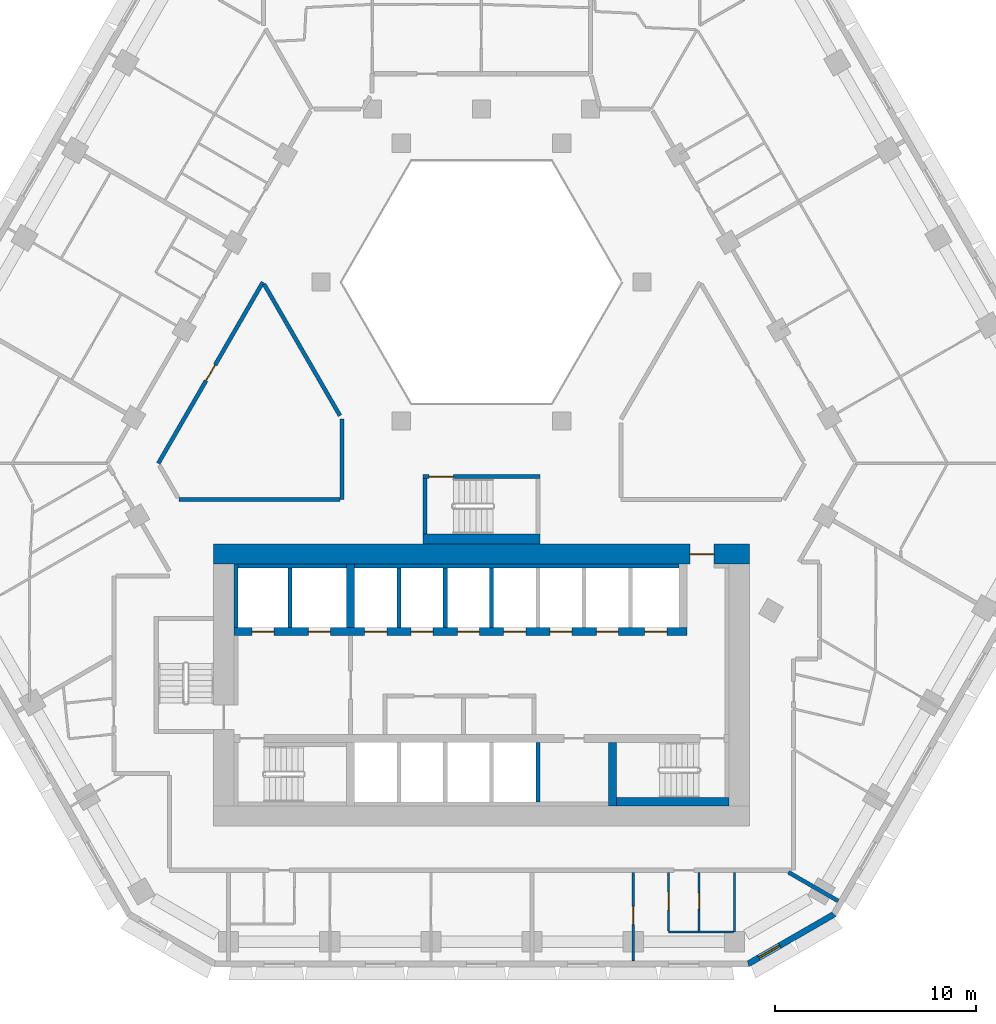
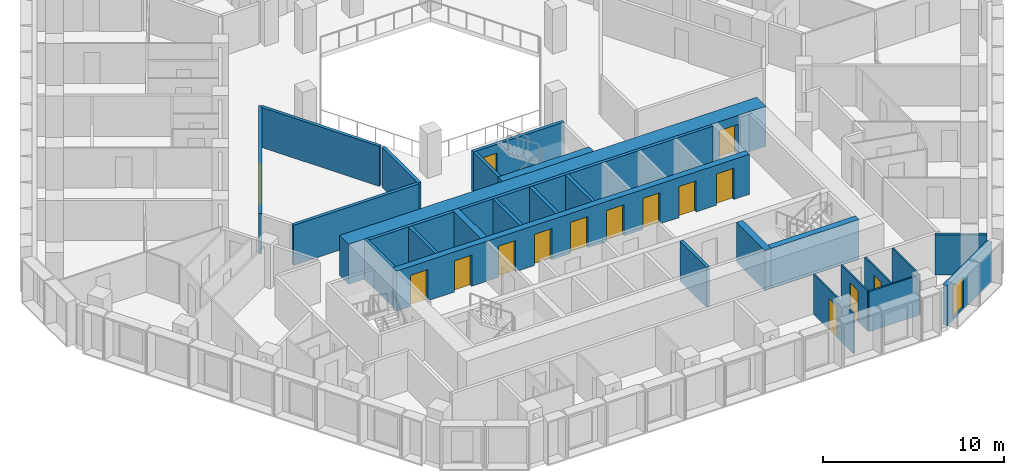
# One storey, part 5 of 15: 27 walls, 15 doors, 1 window, 16 openings.
"""IFC4 building model written with IfcOpenShell, lengths in metres."""

import ifcopenshell
import ifcopenshell.guid

model = None  # the IFC model being written
_history = None  # IfcOwnerHistory: only IFC2X3 demands one
_inside = {}  # id of a spatial element -> (the spatial element, [elements in it])
_under = {}  # id of a project, library or spatial element -> (it, [spatial elements below it])
_declared = {}  # id of a project -> (the project, [libraries it declares])
_typed = {}  # id of a type object -> (the type object, [elements of that type])
_made_of = {}  # id of a material, layer set ... -> (it, [elements and type objects made of it])


def new_model(schema):
    """Start an empty IFC model of exactly this schema.

    Asked for "IFC4X3", IfcOpenShell would pick the latest addendum, in which some entities
    have other attributes; the version numbers below select the first issue.
    IFC2X3 requires an IfcOwnerHistory on every rooted entity: one is made here for all.
    """
    global model, _history
    if schema == "IFC4X3":
        model = ifcopenshell.file(schema_version=(4, 3, 0, 0))
    else:
        model = ifcopenshell.file(schema=schema)
    _inside.clear()
    _under.clear()
    _declared.clear()
    _typed.clear()
    _made_of.clear()
    _history = None
    if model.schema == "IFC2X3":
        org = make("IfcOrganization", Name="unknown")
        user = make(
            "IfcPersonAndOrganization",
            ThePerson=make("IfcPerson", FamilyName="unknown"),
            TheOrganization=org,
        )
        app = make(
            "IfcApplication",
            ApplicationDeveloper=org,
            Version="unknown",
            ApplicationFullName="unknown",
            ApplicationIdentifier="unknown",
        )
        _history = make(
            "IfcOwnerHistory",
            OwningUser=user,
            OwningApplication=app,
            ChangeAction="ADDED",
            CreationDate=0,
        )
    return model


def make(cls, **values):
    """One entity of the class cls with the attributes given. An attribute that is None is left unset."""
    return model.create_entity(
        cls, **{name: value for name, value in values.items() if value is not None}
    )


def rooted(cls, **values):
    """An entity with a GlobalId (a new one), such as an element, a storey or a relation."""
    return make(cls, GlobalId=ifcopenshell.guid.new(), OwnerHistory=_history, **values)


def si_unit(unit_type, name, prefix=None):
    """IfcSIUnit, for example si_unit("LENGTHUNIT", "METRE", prefix="MILLI")."""
    return make("IfcSIUnit", UnitType=unit_type, Prefix=prefix, Name=name)


def assignment(units):
    """IfcUnitAssignment: the units of a project."""
    return None if units is None else make("IfcUnitAssignment", Units=units)


def point(xyz):
    """IfcCartesianPoint."""
    return None if xyz is None else make("IfcCartesianPoint", Coordinates=xyz)


def direction(xyz):
    """IfcDirection."""
    return None if xyz is None else make("IfcDirection", DirectionRatios=xyz)


def frame(location, z_axis=None, x_axis=None):
    """IfcAxis2Placement3D, a coordinate frame: its origin and axes. An axis left out is left unset."""
    return make(
        "IfcAxis2Placement3D",
        Location=point(location),
        Axis=direction(z_axis),
        RefDirection=direction(x_axis),
    )


def frame_2d(location, x_axis=None):
    """IfcAxis2Placement2D, a coordinate frame in the plane: its origin and x axis."""
    return make(
        "IfcAxis2Placement2D", Location=point(location), RefDirection=direction(x_axis)
    )


def origin():
    """The frame at (0, 0, 0) with its axes left unset."""
    return frame((0.0, 0.0, 0.0))


def place(relative_to, where):
    """IfcLocalPlacement: puts the frame where relative to a parent placement (None: the world)."""
    return make(
        "IfcLocalPlacement", PlacementRelTo=relative_to, RelativePlacement=where
    )


def context(
    kind, dimensions, precision=None, world=None, true_north=None, identifier=None
):
    """IfcGeometricRepresentationContext, for example the 3D "Model" context."""
    return make(
        "IfcGeometricRepresentationContext",
        ContextIdentifier=identifier,
        ContextType=kind,
        CoordinateSpaceDimension=dimensions,
        Precision=precision,
        WorldCoordinateSystem=world,
        TrueNorth=true_north,
    )


def subcontext(parent, identifier, kind, view, scale=None):
    """IfcGeometricRepresentationSubContext, for example "Body" below "Model"."""
    return make(
        "IfcGeometricRepresentationSubContext",
        ContextIdentifier=identifier,
        ContextType=kind,
        ParentContext=parent,
        TargetScale=scale,
        TargetView=view,
    )


def project(units=None, contexts=None):
    """IfcProject with its units and contexts."""
    return rooted(
        "IfcProject",
        Name="project",
        RepresentationContexts=contexts,
        UnitsInContext=assignment(units),
    )


def spatial(cls, under=None, at=None, **own):
    """A site, building, storey or space (cls), placed at a placement, below another one or the project."""
    s = rooted(cls, ObjectPlacement=at, **own)
    if under is not None:
        _under.setdefault(under.id(), (under, []))[1].append(s)
    return s


def polyline(points):
    """IfcPolyline through the points."""
    return make("IfcPolyline", Points=[point(p) for p in points])


def profile(cls, at=None, kind="AREA", **sizes):
    """A parametric profile (cls). Its sizes go by their IFC names, for example OverallWidth=200.0."""
    return make(cls, ProfileType=kind, Position=at, **sizes)


def rectangle(**sizes):
    """IfcRectangleProfileDef."""
    return profile("IfcRectangleProfileDef", **sizes)


def outline(outer, holes=None, kind="AREA"):
    """IfcArbitraryClosedProfileDef: a profile drawn as a closed curve; with holes, ...WithVoids."""
    if holes is None:
        return make("IfcArbitraryClosedProfileDef", ProfileType=kind, OuterCurve=outer)
    return make(
        "IfcArbitraryProfileDefWithVoids",
        ProfileType=kind,
        OuterCurve=outer,
        InnerCurves=holes,
    )


def extrude(swept, where, along, depth):
    """IfcExtrudedAreaSolid: the profile swept, set in the frame where, extruded along a direction by depth."""
    return make(
        "IfcExtrudedAreaSolid",
        SweptArea=swept,
        Position=where,
        ExtrudedDirection=direction(along),
        Depth=depth,
    )


def shape(context_of_items, identifier, shape_type, items):
    """IfcShapeRepresentation: the items that make up one representation, for example the "Body"."""
    return make(
        "IfcShapeRepresentation",
        ContextOfItems=context_of_items,
        RepresentationIdentifier=identifier,
        RepresentationType=shape_type,
        Items=items,
    )


def material(Name=None, Category=None):
    """IfcMaterial."""
    return make("IfcMaterial", Name=Name, Category=Category)


def layer(
    of_material, thickness, ventilated=None, Name=None, Category=None, Priority=None
):
    """IfcMaterialLayer: one layer of a wall or slab, of a material (None: an air gap)."""
    return make(
        "IfcMaterialLayer",
        Material=of_material,
        LayerThickness=thickness,
        IsVentilated=ventilated,
        Name=Name,
        Category=Category,
        Priority=Priority,
    )


def layer_set(layers, Name=None):
    """IfcMaterialLayerSet."""
    return make("IfcMaterialLayerSet", MaterialLayers=layers, LayerSetName=Name)


def made_of(thing, what):
    """Note that an element or type object is made of a material, layer set ...; save() writes the relation."""
    if what is not None:
        _made_of.setdefault(what.id(), (what, []))[1].append(thing)
    return thing


def type_object(cls, material=None, **own):
    """A type object (cls), such as IfcWallType, which elements share."""
    return made_of(rooted(cls, **own), material)


def element(
    cls,
    number,
    at=None,
    inside=None,
    cuts=None,
    type_object=None,
    material=None,
    context=None,
    identifier="Body",
    shape_type=None,
    held_by="IfcProductDefinitionShape",
    body=None,
    shapes=None,
    **own,
):
    """One element of the class cls, such as IfcWall. Its Tag is "e" and its number.

    at: its placement. inside: the storey or other place that contains it. cuts: it is an
    opening in that element (IfcRelVoidsElement). A single representation is given by context,
    identifier, shape_type and body (its items); several are given by shapes. held_by: the class
    of the entity that holds the representations. save() writes the other relations.
    """
    e = rooted(cls, Tag="e%d" % number, ObjectPlacement=at, **own)
    if body is not None:
        shapes = [shape(context, identifier, shape_type, body)]
    if shapes is not None:
        e.Representation = make(held_by, Representations=shapes)
    if inside is not None:
        _inside.setdefault(inside.id(), (inside, []))[1].append(e)
    if cuts is not None:
        rooted(
            "IfcRelVoidsElement", RelatingBuildingElement=cuts, RelatedOpeningElement=e
        )
    if type_object is not None:
        _typed.setdefault(type_object.id(), (type_object, []))[1].append(e)
    return made_of(e, material)


def fill(opening, filler):
    """IfcRelFillsElement: the door or window that sits in an opening."""
    return rooted(
        "IfcRelFillsElement",
        RelatingOpeningElement=opening,
        RelatedBuildingElement=filler,
    )


def aggregate(whole, parts):
    """IfcRelAggregates: a whole, such as a stair, and the parts it consists of."""
    return rooted("IfcRelAggregates", RelatingObject=whole, RelatedObjects=parts)


def save(model, path):
    """Write the relations noted so far, then the file.

    IfcRelAggregates (storeys below a building ...), IfcRelContainedInSpatialStructure (elements
    in a storey), IfcRelDefinesByType, IfcRelAssociatesMaterial and IfcRelDeclares: one each for
    every whole, place, type object, material and project.
    """
    for whole, parts in _under.values():
        aggregate(whole, parts)
    for where, things in _inside.values():
        rooted(
            "IfcRelContainedInSpatialStructure",
            RelatedElements=things,
            RelatingStructure=where,
        )
    for kind, things in _typed.values():
        rooted("IfcRelDefinesByType", RelatedObjects=things, RelatingType=kind)
    for what, things in _made_of.values():
        rooted("IfcRelAssociatesMaterial", RelatedObjects=things, RelatingMaterial=what)
    for by, libraries in _declared.values():
        rooted("IfcRelDeclares", RelatingContext=by, RelatedDefinitions=libraries)
    model.write(path)


model = new_model("IFC4")

# Units and contexts
model_context = context("Model", 3, precision=1e-05, world=origin(), true_north=direction((0.0, 1.0)))
body_context = subcontext(model_context, "Body", "Model", "MODEL_VIEW")
ifc_project = project(units=[si_unit("LENGTHUNIT", "METRE"), si_unit("AREAUNIT", "SQUARE_METRE"), si_unit("VOLUMEUNIT", "CUBIC_METRE"), si_unit("PLANEANGLEUNIT", "RADIAN"), si_unit("MASSUNIT", "GRAM", prefix="KILO")], contexts=[model_context])

# Site, building, storey
site_placement = place(None, origin())
site = spatial("IfcSite", under=ifc_project, at=site_placement, CompositionType="ELEMENT")
building_placement = place(site_placement, origin())
building = spatial("IfcBuilding", under=site, at=building_placement, Name="Beryl Residences", CompositionType="ELEMENT")
storey_placement = place(building_placement, frame((0.0, 0.0, 102.0)))
storey = spatial("IfcBuildingStorey", under=building, at=storey_placement, Name="L31", CompositionType="ELEMENT", Elevation=102.0)

# Wall, opening, window
ifc_material_1 = material(Name="Composite metal panel with mineral wool insulation")
ifc_layer_1 = layer(ifc_material_1, 0.300048828125)
ifc_layer_set_1 = layer_set([ifc_layer_1], Name="ES1 pale metal composite panel wall 300 mm")
wall_type_1 = type_object("IfcWallType", Name="ES1 pale metal composite panel wall 300 mm", PredefinedType="SOLIDWALL", material=ifc_layer_set_1)
wall_1_placement = place(storey_placement, frame((13.2041015625, -25.8701171875, 0.0), z_axis=(0.0, 0.0, 1.0), x_axis=(0.866010750942, 0.50002537861, 0.0)))
wall_1 = element("IfcWall", 1, at=wall_1_placement, inside=storey, type_object=wall_type_1, Name="ES1 external wall L31 S-SE", PredefinedType="SOLIDWALL", context=body_context, shape_type="SweptSolid", body=[
    extrude(outline(polyline([(0.0, -0.14990234375), (4.999755859375, -0.14990234375), (4.91943359375, 0.14990234375), (0.080322265625, 0.14990234375), (0.0, -0.14990234375)])), origin(), (0.0, 0.0, 1.0), 2.699951171875),
])
opening_1_placement = place(wall_1_placement, frame((0.64990234375, 0.0, 0.14990234375)))
opening_1 = element("IfcOpeningElement", 2, at=opening_1_placement, cuts=wall_1, Name="Opening W2", PredefinedType="OPENING", context=body_context, shape_type="SweptSolid", body=[
    extrude(rectangle(XDim=1.199951171875, YDim=2.10009765625, at=frame_2d((0.60009765625, 1.050048828125))), frame((0.0, 0.159912109375, 0.0), z_axis=(0.0, -1.0, 0.0), x_axis=(1.0, 0.0, 0.0)), (0.0, 0.0, 1.0), 0.320068359375),
])
ifc_material_2 = material(Name="Aluminium and clear glass", Category="aluminium")
window_type = type_object("IfcWindowType", Name="W2 chamfer window 1200 x 2100 mm", PartitioningType="SINGLE_PANEL", PredefinedType="WINDOW", material=ifc_material_2)
window_placement = place(opening_1_placement, origin())
window = element("IfcWindow", 3, at=window_placement, inside=storey, type_object=window_type, Name="W2 window L31 S-SE 1", OverallHeight=2.10009765625, OverallWidth=1.199951171875, PartitioningType="SINGLE_PANEL", PredefinedType="WINDOW", context=body_context, shape_type="SweptSolid", body=[
    extrude(rectangle(XDim=1.199951171875, YDim=2.10009765625, at=frame_2d((0.60009765625, 1.050048828125))), frame((0.0, 0.030029296875, 0.0), z_axis=(0.0, -1.0, 0.0), x_axis=(1.0, 0.0, 0.0)), (0.0, 0.0, 1.0), 0.06005859375),
])
fill(opening_1, window)

# Wall, opening, door
ifc_material_3 = material(Name="Gypsum board partition on steel studs", Category="steel")
ifc_layer_2 = layer(ifc_material_3, 0.10009765625)
ifc_layer_set_2 = layer_set([ifc_layer_2], Name="PT1 partition 100 mm gypsum board on steel studs")
wall_type_2 = type_object("IfcWallType", Name="PT1 partition 100 mm gypsum board on steel studs", PredefinedType="PARTITIONING", material=ifc_layer_set_2)
wall_2_placement = place(storey_placement, frame((9.29296875, -21.300048828125, 0.0), z_axis=(0.0, 0.0, 1.0), x_axis=(0.0, -1.0, 0.0)))
wall_2 = element("IfcWall", 4, at=wall_2_placement, inside=storey, type_object=wall_type_2, Name="Wall PT1 L31 011", PredefinedType="PARTITIONING", context=body_context, shape_type="SweptSolid", body=[
    extrude(rectangle(XDim=2.908935546875, YDim=0.10009765625, at=frame_2d((1.45458984375, 0.0))), origin(), (0.0, 0.0, 1.0), 2.699951171875),
])
opening_2_placement = place(wall_2_placement, frame((0.97998046875, 0.0, 0.0)))
opening_2 = element("IfcOpeningElement", 5, at=opening_2_placement, cuts=wall_2, Name="Opening D0907", PredefinedType="OPENING", context=body_context, shape_type="SweptSolid", body=[
    extrude(rectangle(XDim=0.89990234375, YDim=2.10009765625, at=frame_2d((0.449951171875, 1.050048828125))), frame((0.0, 0.06005859375, 0.0), z_axis=(0.0, -1.0, 0.0), x_axis=(1.0, 0.0, 0.0)), (0.0, 0.0, 1.0), 0.1201171875),
])
ifc_material_4 = material(Name="Timber door leaf", Category="wood")
door_type_1 = type_object("IfcDoorType", Name="D2 room door 900 x 2100 mm", OperationType="SINGLE_SWING_LEFT", PredefinedType="DOOR", material=ifc_material_4)
door_1_placement = place(opening_2_placement, origin())
door_1 = element("IfcDoor", 6, at=door_1_placement, inside=storey, type_object=door_type_1, Name="Door D0907 L31 001", OperationType="SINGLE_SWING_LEFT", OverallHeight=2.10009765625, OverallWidth=0.89990234375, PredefinedType="DOOR", context=body_context, shape_type="SweptSolid", body=[
    extrude(rectangle(XDim=0.89990234375, YDim=2.10009765625, at=frame_2d((0.449951171875, 1.050048828125))), frame((0.0, 0.02490234375, 0.0), z_axis=(0.0, -1.0, 0.0), x_axis=(1.0, 0.0, 0.0)), (0.0, 0.0, 1.0), 0.050048828125),
])
fill(opening_2, door_1)

# Wall
wall_3_placement = place(storey_placement, frame((9.2939453125, -24.260009765625, 0.0), z_axis=(0.0, 0.0, 1.0), x_axis=(1.0, 0.0, 0.0)))
element("IfcWall", 7, at=wall_3_placement, inside=storey, type_object=wall_type_2, Name="Wall PT1 L31 029", PredefinedType="PARTITIONING", context=body_context, shape_type="SweptSolid", body=[
    extrude(rectangle(XDim=3.213134765625, YDim=0.10009765625, at=frame_2d((1.6064453125, 0.0))), origin(), (0.0, 0.0, 1.0), 2.699951171875),
])

# Wall, opening, door
wall_4_placement = place(storey_placement, frame((7.534912109375, -25.699951171875, 0.0), z_axis=(0.0, 0.0, 1.0), x_axis=(0.0, 1.0, 0.0)))
wall_4 = element("IfcWall", 8, at=wall_4_placement, inside=storey, type_object=wall_type_2, Name="Wall PT1 L31 047", PredefinedType="PARTITIONING", context=body_context, shape_type="SweptSolid", body=[
    extrude(rectangle(XDim=4.39990234375, YDim=0.10009765625, at=frame_2d((2.199951171875, 0.0))), origin(), (0.0, 0.0, 1.0), 2.699951171875),
])
opening_3_placement = place(wall_4_placement, frame((1.800048828125, 0.0, 0.0)))
opening_3 = element("IfcOpeningElement", 9, at=opening_3_placement, cuts=wall_4, Name="Opening D0909", PredefinedType="OPENING", context=body_context, shape_type="SweptSolid", body=[
    extrude(rectangle(XDim=0.89990234375, YDim=2.10009765625, at=frame_2d((0.449951171875, 1.050048828125))), frame((0.0, 0.06005859375, 0.0), z_axis=(0.0, -1.0, 0.0), x_axis=(1.0, 0.0, 0.0)), (0.0, 0.0, 1.0), 0.1201171875),
])
door_2_placement = place(opening_3_placement, origin())
door_2 = element("IfcDoor", 10, at=door_2_placement, inside=storey, type_object=door_type_1, Name="Door D0909 L31 001", OperationType="SINGLE_SWING_LEFT", OverallHeight=2.10009765625, OverallWidth=0.89990234375, PredefinedType="DOOR", context=body_context, shape_type="SweptSolid", body=[
    extrude(rectangle(XDim=0.89990234375, YDim=2.10009765625, at=frame_2d((0.449951171875, 1.050048828125))), frame((0.0, 0.02490234375, 0.0), z_axis=(0.0, -1.0, 0.0), x_axis=(1.0, 0.0, 0.0)), (0.0, 0.0, 1.0), 0.050048828125),
])
fill(opening_3, door_2)

wall_5_placement = place(storey_placement, frame((10.800048828125, -24.2099609375, 0.0), z_axis=(0.0, 0.0, 1.0), x_axis=(0.0, 1.0, 0.0)))
wall_5 = element("IfcWall", 11, at=wall_5_placement, inside=storey, type_object=wall_type_2, Name="Wall PT1 L31 048", PredefinedType="PARTITIONING", context=body_context, shape_type="SweptSolid", body=[
    extrude(rectangle(XDim=2.909912109375, YDim=0.10009765625, at=frame_2d((1.455078125, 0.0))), origin(), (0.0, 0.0, 1.0), 2.699951171875),
])
opening_4_placement = place(wall_5_placement, frame((1.080078125, 0.0, 0.0)))
opening_4 = element("IfcOpeningElement", 12, at=opening_4_placement, cuts=wall_5, Name="Opening D0908", PredefinedType="OPENING", context=body_context, shape_type="SweptSolid", body=[
    extrude(rectangle(XDim=0.800048828125, YDim=2.10009765625, at=frame_2d((0.39990234375, 1.050048828125))), frame((0.0, 0.06005859375, 0.0), z_axis=(0.0, -1.0, 0.0), x_axis=(1.0, 0.0, 0.0)), (0.0, 0.0, 1.0), 0.1201171875),
])
ifc_material_5 = material(Name="Timber door leaf", Category="wood")
door_type_2 = type_object("IfcDoorType", Name="D3 bathroom door 800 x 2100 mm", OperationType="SINGLE_SWING_LEFT", PredefinedType="DOOR", material=ifc_material_5)
door_3_placement = place(opening_4_placement, origin())
door_3 = element("IfcDoor", 13, at=door_3_placement, inside=storey, type_object=door_type_2, Name="Door D0908 L31 001", OperationType="SINGLE_SWING_RIGHT", OverallHeight=2.10009765625, OverallWidth=0.800048828125, PredefinedType="DOOR", context=body_context, shape_type="SweptSolid", body=[
    extrude(rectangle(XDim=0.800048828125, YDim=2.10009765625, at=frame_2d((0.39990234375, 1.050048828125))), frame((0.0, 0.02490234375, 0.0), z_axis=(0.0, -1.0, 0.0), x_axis=(1.0, 0.0, 0.0)), (0.0, 0.0, 1.0), 0.050048828125),
])
fill(opening_4, door_3)

# Walls
wall_6_placement = place(storey_placement, frame((12.55810546875, -24.259033203125, 0.0), z_axis=(0.0, 0.0, 1.0), x_axis=(0.0, 1.0, 0.0)))
element("IfcWall", 14, at=wall_6_placement, inside=storey, type_object=wall_type_2, Name="Wall PT1 L31 050", PredefinedType="PARTITIONING", context=body_context, shape_type="SweptSolid", body=[
    extrude(rectangle(XDim=2.958984375, YDim=0.10009765625, at=frame_2d((1.4794921875, 0.0))), origin(), (0.0, 0.0, 1.0), 2.699951171875),
])
ifc_material_6 = material(Name="Acoustic double stud gypsum board wall")
ifc_layer_3 = layer(ifc_material_6, 0.199951171875)
ifc_layer_set_3 = layer_set([ifc_layer_3], Name="PT3 party wall 200 mm acoustic double stud")
wall_type_3 = type_object("IfcWallType", Name="PT3 party wall 200 mm acoustic double stud", PredefinedType="PARTITIONING", material=ifc_layer_set_3)
wall_7_placement = place(storey_placement, frame((15.239990234375, -21.300048828125, 0.0), z_axis=(0.0, 0.0, 1.0), x_axis=(0.866090043625, -0.499888023795, 0.0)))
element("IfcWall", 15, at=wall_7_placement, inside=storey, type_object=wall_type_3, Name="Wall PT3 L31 003", PredefinedType="PARTITIONING", context=body_context, shape_type="SweptSolid", body=[
    extrude(rectangle(XDim=2.850830078125, YDim=0.199951171875, at=frame_2d((1.42529296875, 0.0))), origin(), (0.0, 0.0, 1.0), 2.699951171875),
])
ifc_material_7 = material(Name="Double stud gypsum board wall")
ifc_layer_4 = layer(ifc_material_7, 0.199951171875)
ifc_layer_set_4 = layer_set([ifc_layer_4], Name="PT4 corridor wall 200 mm double stud")
wall_type_4 = type_object("IfcWallType", Name="PT4 corridor wall 200 mm double stud", PredefinedType="PARTITIONING", material=ifc_layer_set_4)
wall_8_placement = place(storey_placement, frame((-10.7958984375, 7.89892578125, 0.0), z_axis=(0.0, 0.0, 1.0), x_axis=(0.500010383074, -0.866019409031, 0.0)))
element("IfcWall", 16, at=wall_8_placement, inside=storey, type_object=wall_type_4, Name="Wall PT4 L31 001", PredefinedType="PARTITIONING", context=body_context, shape_type="SweptSolid", body=[
    extrude(rectangle(XDim=7.535400390625, YDim=0.199951171875, at=frame_2d((3.767578125, 0.0))), origin(), (0.0, 0.0, 1.0), 2.699951171875),
])
wall_9_placement = place(storey_placement, frame((-15.010986328125, -2.800048828125, 0.0), z_axis=(0.0, 0.0, 1.0), x_axis=(1.0, 0.0, 0.0)))
element("IfcWall", 17, at=wall_9_placement, inside=storey, type_object=wall_type_4, Name="Wall PT4 L31 017", PredefinedType="PARTITIONING", context=body_context, shape_type="SweptSolid", body=[
    extrude(rectangle(XDim=7.98193359375, YDim=0.199951171875, at=frame_2d((3.990966796875, 0.0))), origin(), (0.0, 0.0, 1.0), 2.699951171875),
])

# Wall, opening, door
wall_10_placement = place(storey_placement, frame((-16.050048828125, -1.0, 0.0), z_axis=(0.0, 0.0, 1.0), x_axis=(0.499962449088, 0.866047082728, 0.0)))
wall_10 = element("IfcWall", 18, at=wall_10_placement, inside=storey, type_object=wall_type_4, Name="Wall PT4 L31 026", PredefinedType="PARTITIONING", context=body_context, shape_type="SweptSolid", body=[
    extrude(rectangle(XDim=10.390869140625, YDim=0.199951171875, at=frame_2d((5.1953125, 0.0))), origin(), (0.0, 0.0, 1.0), 2.699951171875),
])
opening_5_placement = place(wall_10_placement, frame((4.7451171875, 0.0, 0.0)))
opening_5 = element("IfcOpeningElement", 19, at=opening_5_placement, cuts=wall_10, Name="Opening D0962", PredefinedType="OPENING", context=body_context, shape_type="SweptSolid", body=[
    extrude(rectangle(XDim=0.89990234375, YDim=2.10009765625, at=frame_2d((0.449951171875, 1.050048828125))), frame((0.0, 0.10986328125, 0.0), z_axis=(0.0, -1.0, 0.0), x_axis=(1.0, 0.0, 0.0)), (0.0, 0.0, 1.0), 0.219970703125),
])
door_4_placement = place(opening_5_placement, origin())
door_4 = element("IfcDoor", 20, at=door_4_placement, inside=storey, type_object=door_type_1, Name="Door D0962 L31 001", OperationType="SINGLE_SWING_RIGHT", OverallHeight=2.10009765625, OverallWidth=0.89990234375, PredefinedType="DOOR", context=body_context, shape_type="SweptSolid", body=[
    extrude(rectangle(XDim=0.89990234375, YDim=2.10009765625, at=frame_2d((0.449951171875, 1.050048828125))), frame((0.0, 0.02490234375, 0.0), z_axis=(0.0, -1.0, 0.0), x_axis=(1.0, 0.0, 0.0)), (0.0, 0.0, 1.0), 0.050048828125),
])
fill(opening_5, door_4)

# Wall
wall_11_placement = place(storey_placement, frame((-6.927978515625, -2.799072265625, 0.0), z_axis=(0.0, 0.0, 1.0), x_axis=(0.0, 1.0, 0.0)))
element("IfcWall", 21, at=wall_11_placement, inside=storey, type_object=wall_type_4, Name="Wall PT4 L31 033", PredefinedType="PARTITIONING", context=body_context, shape_type="SweptSolid", body=[
    extrude(rectangle(XDim=3.9990234375, YDim=0.199951171875, at=frame_2d((1.99951171875, 0.0))), origin(), (0.0, 0.0, 1.0), 2.699951171875),
])

# Wall, opening, door
ifc_material_8 = material(Name="Concrete C40/50", Category="concrete")
ifc_layer_5 = layer(ifc_material_8, 0.199951171875)
ifc_layer_set_5 = layer_set([ifc_layer_5], Name="PT5 stair enclosure wall 200 mm reinforced concrete C40/50")
wall_type_5 = type_object("IfcWallType", Name="PT5 stair enclosure wall 200 mm reinforced concrete C40/50", PredefinedType="SOLIDWALL", material=ifc_layer_set_5)
wall_12_placement = place(storey_placement, frame((-2.89990234375, -1.64990234375, 0.0), z_axis=(0.0, 0.0, 1.0), x_axis=(1.0, 0.0, 0.0)))
wall_12 = element("IfcWall", 22, at=wall_12_placement, inside=storey, type_object=wall_type_5, Name="Wall PT5 L31 001", PredefinedType="SOLIDWALL", context=body_context, shape_type="SweptSolid", body=[
    extrude(rectangle(XDim=5.7998046875, YDim=0.199951171875, at=frame_2d((2.89990234375, 0.0))), origin(), (0.0, 0.0, 1.0), 2.699951171875),
])
opening_6_placement = place(wall_12_placement, frame((0.300048828125, 0.0, 0.0)))
opening_6 = element("IfcOpeningElement", 23, at=opening_6_placement, cuts=wall_12, Name="Opening DS04", PredefinedType="OPENING", context=body_context, shape_type="SweptSolid", body=[
    extrude(rectangle(XDim=1.199951171875, YDim=2.10009765625, at=frame_2d((0.60009765625, 1.050048828125))), frame((0.0, 0.10986328125, 0.0), z_axis=(0.0, -1.0, 0.0), x_axis=(1.0, 0.0, 0.0)), (0.0, 0.0, 1.0), 0.219970703125),
])
ifc_material_9 = material(Name="Steel door leaf in steel frame", Category="steel")
door_type_3 = type_object("IfcDoorType", Name="D4 stair door 1200 x 2100 mm", OperationType="SINGLE_SWING_LEFT", PredefinedType="DOOR", material=ifc_material_9)
door_5_placement = place(opening_6_placement, origin())
door_5 = element("IfcDoor", 24, at=door_5_placement, inside=storey, type_object=door_type_3, Name="Door DS04 L31 001", OperationType="SINGLE_SWING_LEFT", OverallHeight=2.10009765625, OverallWidth=1.199951171875, PredefinedType="DOOR", context=body_context, shape_type="SweptSolid", body=[
    extrude(rectangle(XDim=1.199951171875, YDim=2.10009765625, at=frame_2d((0.60009765625, 1.050048828125))), frame((0.0, 0.02490234375, 0.0), z_axis=(0.0, -1.0, 0.0), x_axis=(1.0, 0.0, 0.0)), (0.0, 0.0, 1.0), 0.050048828125),
])
fill(opening_6, door_5)

# Walls
wall_13_placement = place(storey_placement, frame((-2.800048828125, -4.5, 0.0), z_axis=(0.0, 0.0, 1.0), x_axis=(0.0, 1.0, 0.0)))
element("IfcWall", 25, at=wall_13_placement, inside=storey, type_object=wall_type_5, Name="Wall PT5 L31 002", PredefinedType="SOLIDWALL", context=body_context, shape_type="SweptSolid", body=[
    extrude(rectangle(XDim=2.75, YDim=0.199951171875, at=frame_2d((1.375, 0.0))), origin(), (0.0, 0.0, 1.0), 2.699951171875),
])
ifc_material_10 = material(Name="Concrete C40/50", Category="concrete")
ifc_layer_6 = layer(ifc_material_10, 0.39990234375)
ifc_layer_set_6 = layer_set([ifc_layer_6], Name="PT5-400 stair enclosure wall 400 mm")
wall_type_6 = type_object("IfcWallType", Name="PT5-400 stair enclosure wall 400 mm", PredefinedType="SOLIDWALL", material=ifc_layer_set_6)
wall_14_placement = place(storey_placement, frame((6.699951171875, -17.800048828125, 0.0), z_axis=(0.0, 0.0, 1.0), x_axis=(1.0, 0.0, 0.0)))
element("IfcWall", 26, at=wall_14_placement, inside=storey, type_object=wall_type_6, Name="Stair wall 27", PredefinedType="SOLIDWALL", context=body_context, shape_type="SweptSolid", body=[
    extrude(rectangle(XDim=5.60009765625, YDim=0.39990234375, at=frame_2d((2.800048828125, 0.0))), origin(), (0.0, 0.0, 1.0), 2.699951171875),
])
ifc_material_11 = material(Name="Concrete C40/50", Category="concrete")
ifc_layer_7 = layer(ifc_material_11, 0.5)
ifc_layer_set_7 = layer_set([ifc_layer_7], Name="PT5-500 stair enclosure wall 500 mm")
wall_type_7 = type_object("IfcWallType", Name="PT5-500 stair enclosure wall 500 mm", PredefinedType="SOLIDWALL", material=ifc_layer_set_7)
wall_15_placement = place(storey_placement, frame((-2.89990234375, -4.75, 0.0), z_axis=(0.0, 0.0, 1.0), x_axis=(1.0, 0.0, 0.0)))
element("IfcWall", 27, at=wall_15_placement, inside=storey, type_object=wall_type_7, Name="Wall PT5-500 L31 001", PredefinedType="SOLIDWALL", context=body_context, shape_type="SweptSolid", body=[
    extrude(rectangle(XDim=5.7998046875, YDim=0.5, at=frame_2d((2.89990234375, 0.0))), origin(), (0.0, 0.0, 1.0), 2.699951171875),
])
ifc_material_12 = material(Name="Concrete C40/50", Category="concrete")
ifc_layer_8 = layer(ifc_material_12, 0.199951171875)
ifc_layer_set_8 = layer_set([ifc_layer_8], Name="PT6 lift shaft wall 200 mm reinforced concrete C40/50")
wall_type_8 = type_object("IfcWallType", Name="PT6 lift shaft wall 200 mm reinforced concrete C40/50", PredefinedType="SOLIDWALL", material=ifc_layer_set_8)
wall_16_placement = place(storey_placement, frame((-12.199951171875, -9.14990234375, 0.0), z_axis=(0.0, 0.0, 1.0), x_axis=(0.0, 1.0, 0.0)))
element("IfcWall", 28, at=wall_16_placement, inside=storey, type_object=wall_type_8, Name="Lift shaft wall 06", PredefinedType="SOLIDWALL", context=body_context, shape_type="SweptSolid", body=[
    extrude(rectangle(XDim=3.14990234375, YDim=0.199951171875, at=frame_2d((1.574951171875, 0.0))), origin(), (0.0, 0.0, 1.0), 2.699951171875),
])
wall_17_placement = place(storey_placement, frame((-12.10009765625, -6.10009765625, 0.0), z_axis=(0.0, 0.0, 1.0), x_axis=(1.0, 0.0, 0.0)))
element("IfcWall", 29, at=wall_17_placement, inside=storey, type_object=wall_type_8, Name="Lift shaft wall 08", PredefinedType="SOLIDWALL", context=body_context, shape_type="SweptSolid", body=[
    extrude(rectangle(XDim=5.400146484375, YDim=0.199951171875, at=frame_2d((2.7001953125, 0.0))), origin(), (0.0, 0.0, 1.0), 2.699951171875),
])
wall_18_placement = place(storey_placement, frame((-9.5, -9.14990234375, 0.0), z_axis=(0.0, 0.0, 1.0), x_axis=(0.0, 1.0, 0.0)))
element("IfcWall", 30, at=wall_18_placement, inside=storey, type_object=wall_type_8, Name="Lift shaft wall 10", PredefinedType="SOLIDWALL", context=body_context, shape_type="SweptSolid", body=[
    extrude(rectangle(XDim=2.949951171875, YDim=0.199951171875, at=frame_2d((1.47509765625, 0.0))), origin(), (0.0, 0.0, 1.0), 2.699951171875),
])
wall_19_placement = place(storey_placement, frame((-6.300048828125, -6.10009765625, 0.0), z_axis=(0.0, 0.0, 1.0), x_axis=(1.0, 0.0, 0.0)))
element("IfcWall", 31, at=wall_19_placement, inside=storey, type_object=wall_type_8, Name="Lift shaft wall 13", PredefinedType="SOLIDWALL", context=body_context, shape_type="SweptSolid", body=[
    extrude(rectangle(XDim=16.10009765625, YDim=0.199951171875, at=frame_2d((8.050048828125, 0.0))), origin(), (0.0, 0.0, 1.0), 2.699951171875),
])
for number, where, z_axis, x_axis, name in (
    (32, (-4.10009765625, -9.14990234375, 0.0), (0.0, 0.0, 1.0), (0.0, 1.0, 0.0), "Lift shaft wall 17"),
    (33, (-1.800048828125, -9.14990234375, 0.0), (0.0, 0.0, 1.0), (0.0, 1.0, 0.0), "Lift shaft wall 19"),
    (34, (0.5, -9.14990234375, 0.0), (0.0, 0.0, 1.0), (0.0, 1.0, 0.0), "Lift shaft wall 22"),
    (35, (2.800048828125, -17.800048828125, 0.0), (0.0, 0.0, 1.0), (0.0, 1.0, 0.0), "Lift shaft wall 24"),
):
    element("IfcWall", number, at=place(storey_placement, frame(where, z_axis=z_axis, x_axis=x_axis)), inside=storey, type_object=wall_type_8, Name=name, PredefinedType="SOLIDWALL", context=body_context, shape_type="SweptSolid", body=[
        extrude(rectangle(XDim=2.949951171875, YDim=0.199951171875, at=frame_2d((1.47509765625, 0.0))), origin(), (0.0, 0.0, 1.0), 2.699951171875),
    ])

# Wall, opening, door
ifc_material_13 = material(Name="Concrete C70/85", Category="concrete")
ifc_layer_9 = layer(ifc_material_13, 1.0)
ifc_layer_set_9 = layer_set([ifc_layer_9], Name="SW2 core outer wall 1000 mm C70/85")
wall_type_9 = type_object("IfcWallType", Name="SW2 core outer wall 1000 mm C70/85", PredefinedType="SHEAR", material=ifc_layer_set_9)
wall_20_placement = place(storey_placement, frame((-13.300048828125, -5.5, 0.0), z_axis=(0.0, 0.0, 1.0), x_axis=(1.0, 0.0, 0.0)))
wall_20 = element("IfcWall", 36, at=wall_20_placement, inside=storey, type_object=wall_type_9, Name="Core wall N L31", PredefinedType="SHEAR", context=body_context, shape_type="SweptSolid", body=[
    extrude(rectangle(XDim=26.60009765625, YDim=1.0, at=frame_2d((13.300048828125, 0.0))), origin(), (0.0, 0.0, 1.0), 2.699951171875),
])
opening_7_placement = place(wall_20_placement, frame((23.64990234375, 0.0, 0.0)))
opening_7 = element("IfcOpeningElement", 37, at=opening_7_placement, cuts=wall_20, Name="Opening FD-NORTH", PredefinedType="OPENING", context=body_context, shape_type="SweptSolid", body=[
    extrude(rectangle(XDim=1.199951171875, YDim=2.10009765625, at=frame_2d((0.60009765625, 1.050048828125))), frame((0.0, 0.510009765625, 0.0), z_axis=(0.0, -1.0, 0.0), x_axis=(1.0, 0.0, 0.0)), (0.0, 0.0, 1.0), 1.02001953125),
])
ifc_material_14 = material(Name="Steel door leaf in steel frame", Category="steel")
door_type_4 = type_object("IfcDoorType", Name="D22 lobby door 1200 x 2100 mm", OperationType="DOUBLE_DOOR_SINGLE_SWING", PredefinedType="DOOR", material=ifc_material_14)
door_6_placement = place(opening_7_placement, origin())
door_6 = element("IfcDoor", 38, at=door_6_placement, inside=storey, type_object=door_type_4, Name="Door FD-NORTH L31 001", OperationType="DOUBLE_DOOR_SINGLE_SWING", OverallHeight=2.10009765625, OverallWidth=1.199951171875, PredefinedType="DOOR", context=body_context, shape_type="SweptSolid", body=[
    extrude(rectangle(XDim=1.199951171875, YDim=2.10009765625, at=frame_2d((0.60009765625, 1.050048828125))), frame((0.0, 0.02490234375, 0.0), z_axis=(0.0, -1.0, 0.0), x_axis=(1.0, 0.0, 0.0)), (0.0, 0.0, 1.0), 0.050048828125),
])
fill(opening_7, door_6)

# Wall, openings, doors
ifc_material_15 = material(Name="Concrete C70/85", Category="concrete")
ifc_layer_10 = layer(ifc_material_15, 0.39990234375)
ifc_layer_set_10 = layer_set([ifc_layer_10], Name="SW7 core internal wall 400 mm C70/85")
wall_type_10 = type_object("IfcWallType", Name="SW7 core internal wall 400 mm C70/85", PredefinedType="SHEAR", material=ifc_layer_set_10)
wall_21_placement = place(storey_placement, frame((-12.300048828125, -9.35009765625, 0.0), z_axis=(0.0, 0.0, 1.0), x_axis=(1.0, 0.0, 0.0)))
wall_21 = element("IfcWall", 39, at=wall_21_placement, inside=storey, type_object=wall_type_10, Name="Core wall SP2 L31", PredefinedType="SHEAR", context=body_context, shape_type="SweptSolid", body=[
    extrude(rectangle(XDim=22.5, YDim=0.39990234375, at=frame_2d((11.25, 0.0))), origin(), (0.0, 0.0, 1.0), 2.699951171875),
])
opening_8_placement = place(wall_21_placement, frame((0.89990234375, 0.0, 0.0)))
opening_8 = element("IfcOpeningElement", 40, at=opening_8_placement, cuts=wall_21, Name="Opening LD-FF1", PredefinedType="OPENING", context=body_context, shape_type="SweptSolid", body=[
    extrude(rectangle(XDim=1.10009765625, YDim=2.10009765625, at=frame_2d((0.550048828125, 1.050048828125))), frame((0.0, 0.2099609375, 0.0), z_axis=(0.0, -1.0, 0.0), x_axis=(1.0, 0.0, 0.0)), (0.0, 0.0, 1.0), 0.419921875),
])
opening_9_placement = place(wall_21_placement, frame((3.699951171875, 0.0, 0.0)))
opening_9 = element("IfcOpeningElement", 41, at=opening_9_placement, cuts=wall_21, Name="Opening LD-FF2", PredefinedType="OPENING", context=body_context, shape_type="SweptSolid", body=[
    extrude(rectangle(XDim=1.10009765625, YDim=2.10009765625, at=frame_2d((0.550048828125, 1.050048828125))), frame((0.0, 0.2099609375, 0.0), z_axis=(0.0, -1.0, 0.0), x_axis=(1.0, 0.0, 0.0)), (0.0, 0.0, 1.0), 0.419921875),
])
opening_10_placement = place(wall_21_placement, frame((6.5, 0.0, 0.0)))
opening_10 = element("IfcOpeningElement", 42, at=opening_10_placement, cuts=wall_21, Name="Opening LD-LR1", PredefinedType="OPENING", context=body_context, shape_type="SweptSolid", body=[
    extrude(rectangle(XDim=1.10009765625, YDim=2.10009765625, at=frame_2d((0.550048828125, 1.050048828125))), frame((0.0, 0.2099609375, 0.0), z_axis=(0.0, -1.0, 0.0), x_axis=(1.0, 0.0, 0.0)), (0.0, 0.0, 1.0), 0.419921875),
])
opening_11_placement = place(wall_21_placement, frame((8.800048828125, 0.0, 0.0)))
opening_11 = element("IfcOpeningElement", 43, at=opening_11_placement, cuts=wall_21, Name="Opening LD-LR2", PredefinedType="OPENING", context=body_context, shape_type="SweptSolid", body=[
    extrude(rectangle(XDim=1.10009765625, YDim=2.10009765625, at=frame_2d((0.550048828125, 1.050048828125))), frame((0.0, 0.2099609375, 0.0), z_axis=(0.0, -1.0, 0.0), x_axis=(1.0, 0.0, 0.0)), (0.0, 0.0, 1.0), 0.419921875),
])
opening_12_placement = place(wall_21_placement, frame((11.10009765625, 0.0, 0.0)))
opening_12 = element("IfcOpeningElement", 44, at=opening_12_placement, cuts=wall_21, Name="Opening LD-LR3", PredefinedType="OPENING", context=body_context, shape_type="SweptSolid", body=[
    extrude(rectangle(XDim=1.10009765625, YDim=2.10009765625, at=frame_2d((0.550048828125, 1.050048828125))), frame((0.0, 0.2099609375, 0.0), z_axis=(0.0, -1.0, 0.0), x_axis=(1.0, 0.0, 0.0)), (0.0, 0.0, 1.0), 0.419921875),
])
opening_13_placement = place(wall_21_placement, frame((13.39990234375, 0.0, 0.0)))
opening_13 = element("IfcOpeningElement", 45, at=opening_13_placement, cuts=wall_21, Name="Opening LD-LR4", PredefinedType="OPENING", context=body_context, shape_type="SweptSolid", body=[
    extrude(rectangle(XDim=1.10009765625, YDim=2.10009765625, at=frame_2d((0.550048828125, 1.050048828125))), frame((0.0, 0.2099609375, 0.0), z_axis=(0.0, -1.0, 0.0), x_axis=(1.0, 0.0, 0.0)), (0.0, 0.0, 1.0), 0.419921875),
])
opening_14_placement = place(wall_21_placement, frame((15.699951171875, 0.0, 0.0)))
opening_14 = element("IfcOpeningElement", 46, at=opening_14_placement, cuts=wall_21, Name="Opening LD-LR5", PredefinedType="OPENING", context=body_context, shape_type="SweptSolid", body=[
    extrude(rectangle(XDim=1.10009765625, YDim=2.10009765625, at=frame_2d((0.550048828125, 1.050048828125))), frame((0.0, 0.2099609375, 0.0), z_axis=(0.0, -1.0, 0.0), x_axis=(1.0, 0.0, 0.0)), (0.0, 0.0, 1.0), 0.419921875),
])
opening_15_placement = place(wall_21_placement, frame((18.0, 0.0, 0.0)))
opening_15 = element("IfcOpeningElement", 47, at=opening_15_placement, cuts=wall_21, Name="Opening LD-LR6", PredefinedType="OPENING", context=body_context, shape_type="SweptSolid", body=[
    extrude(rectangle(XDim=1.10009765625, YDim=2.10009765625, at=frame_2d((0.550048828125, 1.050048828125))), frame((0.0, 0.2099609375, 0.0), z_axis=(0.0, -1.0, 0.0), x_axis=(1.0, 0.0, 0.0)), (0.0, 0.0, 1.0), 0.419921875),
])
opening_16_placement = place(wall_21_placement, frame((20.39990234375, 0.0, 0.0)))
opening_16 = element("IfcOpeningElement", 48, at=opening_16_placement, cuts=wall_21, Name="Opening LD-SL1", PredefinedType="OPENING", context=body_context, shape_type="SweptSolid", body=[
    extrude(rectangle(XDim=1.10009765625, YDim=2.10009765625, at=frame_2d((0.550048828125, 1.050048828125))), frame((0.0, 0.2099609375, 0.0), z_axis=(0.0, -1.0, 0.0), x_axis=(1.0, 0.0, 0.0)), (0.0, 0.0, 1.0), 0.419921875),
])
ifc_material_16 = material(Name="Stainless steel sliding door", Category="steel")
door_type_5 = type_object("IfcDoorType", Name="LD1 lift landing door 1100 x 2100 mm", OperationType="DOUBLE_DOOR_SLIDING", PredefinedType="DOOR", material=ifc_material_16)
door_7_placement = place(opening_8_placement, origin())
door_7 = element("IfcDoor", 49, at=door_7_placement, inside=storey, type_object=door_type_5, Name="Lift landing door FF1", OperationType="DOUBLE_DOOR_SLIDING", OverallHeight=2.10009765625, OverallWidth=1.10009765625, PredefinedType="DOOR", context=body_context, shape_type="SweptSolid", body=[
    extrude(rectangle(XDim=1.10009765625, YDim=2.10009765625, at=frame_2d((0.550048828125, 1.050048828125))), frame((0.0, 0.02490234375, 0.0), z_axis=(0.0, -1.0, 0.0), x_axis=(1.0, 0.0, 0.0)), (0.0, 0.0, 1.0), 0.050048828125),
])
fill(opening_8, door_7)
door_8_placement = place(opening_9_placement, origin())
door_8 = element("IfcDoor", 50, at=door_8_placement, inside=storey, type_object=door_type_5, Name="Lift landing door FF2", OperationType="DOUBLE_DOOR_SLIDING", OverallHeight=2.10009765625, OverallWidth=1.10009765625, PredefinedType="DOOR", context=body_context, shape_type="SweptSolid", body=[
    extrude(rectangle(XDim=1.10009765625, YDim=2.10009765625, at=frame_2d((0.550048828125, 1.050048828125))), frame((0.0, 0.02490234375, 0.0), z_axis=(0.0, -1.0, 0.0), x_axis=(1.0, 0.0, 0.0)), (0.0, 0.0, 1.0), 0.050048828125),
])
fill(opening_9, door_8)
door_9_placement = place(opening_10_placement, origin())
door_9 = element("IfcDoor", 51, at=door_9_placement, inside=storey, type_object=door_type_5, Name="Lift landing door LR1", OperationType="DOUBLE_DOOR_SLIDING", OverallHeight=2.10009765625, OverallWidth=1.10009765625, PredefinedType="DOOR", context=body_context, shape_type="SweptSolid", body=[
    extrude(rectangle(XDim=1.10009765625, YDim=2.10009765625, at=frame_2d((0.550048828125, 1.050048828125))), frame((0.0, 0.02490234375, 0.0), z_axis=(0.0, -1.0, 0.0), x_axis=(1.0, 0.0, 0.0)), (0.0, 0.0, 1.0), 0.050048828125),
])
fill(opening_10, door_9)
door_10_placement = place(opening_11_placement, origin())
door_10 = element("IfcDoor", 52, at=door_10_placement, inside=storey, type_object=door_type_5, Name="Lift landing door LR2", OperationType="DOUBLE_DOOR_SLIDING", OverallHeight=2.10009765625, OverallWidth=1.10009765625, PredefinedType="DOOR", context=body_context, shape_type="SweptSolid", body=[
    extrude(rectangle(XDim=1.10009765625, YDim=2.10009765625, at=frame_2d((0.550048828125, 1.050048828125))), frame((0.0, 0.02490234375, 0.0), z_axis=(0.0, -1.0, 0.0), x_axis=(1.0, 0.0, 0.0)), (0.0, 0.0, 1.0), 0.050048828125),
])
fill(opening_11, door_10)
door_11_placement = place(opening_12_placement, origin())
door_11 = element("IfcDoor", 53, at=door_11_placement, inside=storey, type_object=door_type_5, Name="Lift landing door LR3", OperationType="DOUBLE_DOOR_SLIDING", OverallHeight=2.10009765625, OverallWidth=1.10009765625, PredefinedType="DOOR", context=body_context, shape_type="SweptSolid", body=[
    extrude(rectangle(XDim=1.10009765625, YDim=2.10009765625, at=frame_2d((0.550048828125, 1.050048828125))), frame((0.0, 0.02490234375, 0.0), z_axis=(0.0, -1.0, 0.0), x_axis=(1.0, 0.0, 0.0)), (0.0, 0.0, 1.0), 0.050048828125),
])
fill(opening_12, door_11)
door_12_placement = place(opening_13_placement, origin())
door_12 = element("IfcDoor", 54, at=door_12_placement, inside=storey, type_object=door_type_5, Name="Lift landing door LR4", OperationType="DOUBLE_DOOR_SLIDING", OverallHeight=2.10009765625, OverallWidth=1.10009765625, PredefinedType="DOOR", context=body_context, shape_type="SweptSolid", body=[
    extrude(rectangle(XDim=1.10009765625, YDim=2.10009765625, at=frame_2d((0.550048828125, 1.050048828125))), frame((0.0, 0.02490234375, 0.0), z_axis=(0.0, -1.0, 0.0), x_axis=(1.0, 0.0, 0.0)), (0.0, 0.0, 1.0), 0.050048828125),
])
fill(opening_13, door_12)
door_13_placement = place(opening_14_placement, origin())
door_13 = element("IfcDoor", 55, at=door_13_placement, inside=storey, type_object=door_type_5, Name="Lift landing door LR5", OperationType="DOUBLE_DOOR_SLIDING", OverallHeight=2.10009765625, OverallWidth=1.10009765625, PredefinedType="DOOR", context=body_context, shape_type="SweptSolid", body=[
    extrude(rectangle(XDim=1.10009765625, YDim=2.10009765625, at=frame_2d((0.550048828125, 1.050048828125))), frame((0.0, 0.02490234375, 0.0), z_axis=(0.0, -1.0, 0.0), x_axis=(1.0, 0.0, 0.0)), (0.0, 0.0, 1.0), 0.050048828125),
])
fill(opening_14, door_13)
door_14_placement = place(opening_15_placement, origin())
door_14 = element("IfcDoor", 56, at=door_14_placement, inside=storey, type_object=door_type_5, Name="Lift landing door LR6", OperationType="DOUBLE_DOOR_SLIDING", OverallHeight=2.10009765625, OverallWidth=1.10009765625, PredefinedType="DOOR", context=body_context, shape_type="SweptSolid", body=[
    extrude(rectangle(XDim=1.10009765625, YDim=2.10009765625, at=frame_2d((0.550048828125, 1.050048828125))), frame((0.0, 0.02490234375, 0.0), z_axis=(0.0, -1.0, 0.0), x_axis=(1.0, 0.0, 0.0)), (0.0, 0.0, 1.0), 0.050048828125),
])
fill(opening_15, door_14)
door_15_placement = place(opening_16_placement, origin())
door_15 = element("IfcDoor", 57, at=door_15_placement, inside=storey, type_object=door_type_5, Name="Lift landing door SL1", OperationType="DOUBLE_DOOR_SLIDING", OverallHeight=2.10009765625, OverallWidth=1.10009765625, PredefinedType="DOOR", context=body_context, shape_type="SweptSolid", body=[
    extrude(rectangle(XDim=1.10009765625, YDim=2.10009765625, at=frame_2d((0.550048828125, 1.050048828125))), frame((0.0, 0.02490234375, 0.0), z_axis=(0.0, -1.0, 0.0), x_axis=(1.0, 0.0, 0.0)), (0.0, 0.0, 1.0), 0.050048828125),
])
fill(opening_16, door_15)

# Walls
for number, where, z_axis, x_axis, name in (
    (58, (6.5, -18.0, 0.0), (0.0, 0.0, 1.0), (0.0, 1.0, 0.0), "Core wall XS2 L31"),
    (59, (-6.5, -9.14990234375, 0.0), (0.0, 0.0, 1.0), (0.0, 1.0, 0.0), "Core wall XN1 L31"),
):
    element("IfcWall", number, at=place(storey_placement, frame(where, z_axis=z_axis, x_axis=x_axis)), inside=storey, type_object=wall_type_10, Name=name, PredefinedType="SHEAR", context=body_context, shape_type="SweptSolid", body=[
        extrude(rectangle(XDim=3.14990234375, YDim=0.39990234375, at=frame_2d((1.574951171875, 0.0))), origin(), (0.0, 0.0, 1.0), 2.699951171875),
    ])

save(model, "model.ifc")
